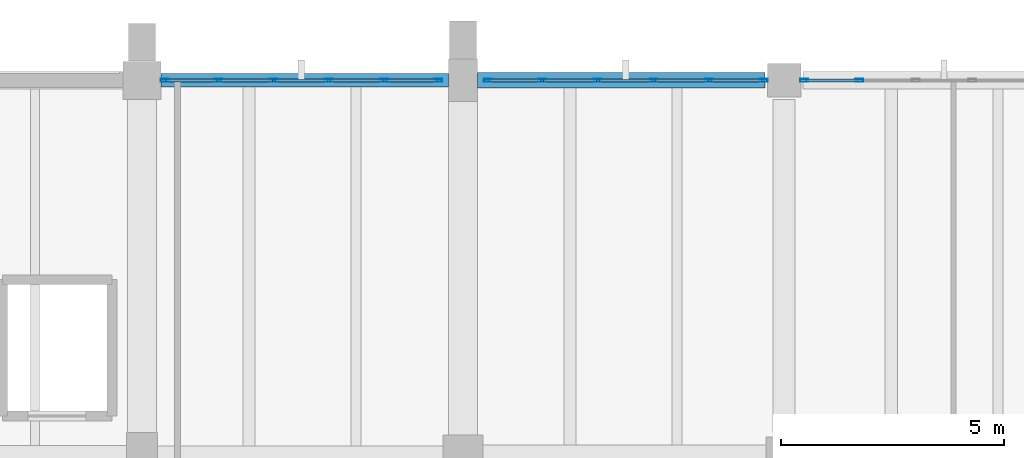
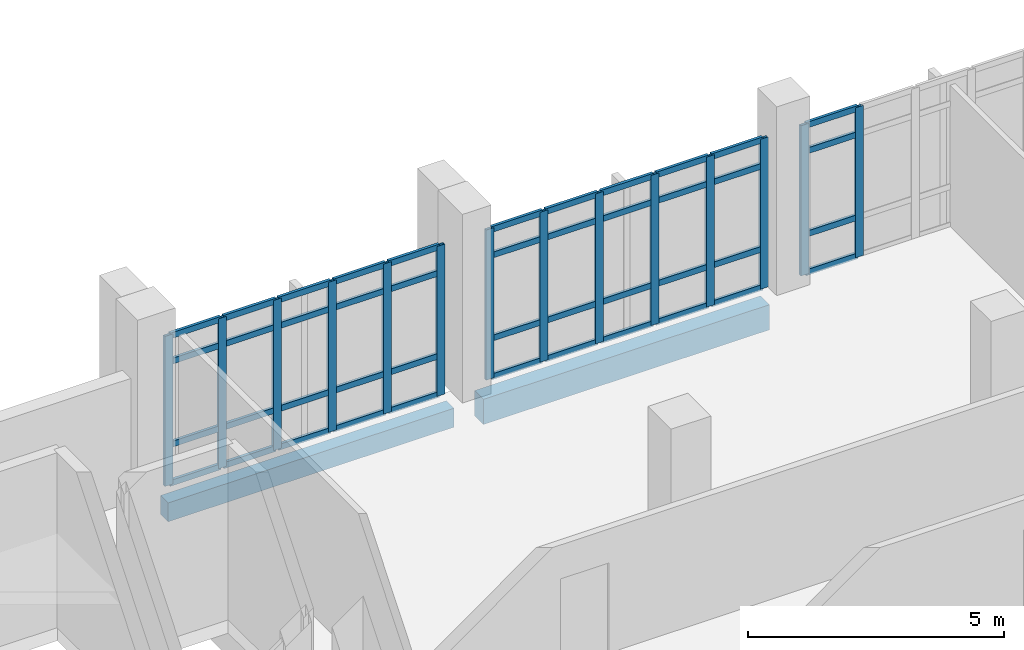
# One storey, part 73 of 134: 58 members, 2 beams, 3 elements without a shape of their own.
"""IFC4 building model written with IfcOpenShell, lengths in metres."""

from ifc_helpers import new_model, si_unit, direction, frame, origin, origin_2d, place, context, subcontext, project, spatial, rectangle, hollow_rectangle, extrude, material, material_profile, profile_set, type_object, element, aggregate, save


model = new_model("IFC4")

# Units and contexts
model_context = context("Model", 3, precision=1e-05, world=origin(), true_north=direction((0.0, 1.0)))
body_context = subcontext(model_context, "Body", "Model", "MODEL_VIEW")
ifc_project = project(units=[si_unit("LENGTHUNIT", "METRE"), si_unit("AREAUNIT", "SQUARE_METRE"), si_unit("VOLUMEUNIT", "CUBIC_METRE"), si_unit("PLANEANGLEUNIT", "RADIAN"), si_unit("MASSUNIT", "GRAM", prefix="KILO")], contexts=[model_context])

# Site, building, storey
site_placement = place(None, origin())
site = spatial("IfcSite", under=ifc_project, at=site_placement, CompositionType="ELEMENT")
building_placement = place(site_placement, origin())
building = spatial("IfcBuilding", under=site, at=building_placement, Name="Kalluvel Institute of Natural Sciences", CompositionType="ELEMENT")
storey_placement = place(building_placement, frame((0.0, 0.0, 5.39990234375)))
storey = spatial("IfcBuildingStorey", under=building, at=storey_placement, Name="L01", CompositionType="ELEMENT", Elevation=5.39990234375)

# Curtain wall, members
ifc_material_1 = material(Name="Aluminium AW-6063 T6", Category="aluminium")
curtain_wall_type = type_object("IfcCurtainWallType", Name="CW-WET-45", PredefinedType="USERDEFINED", material=ifc_material_1)
curtain_wall_1_placement = place(storey_placement, origin())
curtain_wall_1 = element("IfcCurtainWall", 1, at=curtain_wall_1_placement, inside=storey, type_object=curtain_wall_type, Name="L01 Gothic lancet curtain wall CWA-L01-X793-Y1280", ObjectType="UNITISED LANCET FACADE", PredefinedType="USERDEFINED")
ifc_material_profile_1 = material_profile(ifc_material_1, hollow_rectangle(XDim=0.06494140625, YDim=0.179931640625, WallThickness=0.00439453125, at=origin_2d()), Name="CWM 65x180")
ifc_profile_set_1 = profile_set([ifc_material_profile_1], Name="Aluminium AW-6063 T6")
member_type_1 = type_object("IfcMemberType", Name="CWM-65x180", PredefinedType="MULLION", material=ifc_profile_set_1)
member_1_placement = place(storey_placement, frame((79.3076171875, 128.0, 0.0), z_axis=(0.0, 0.0, 1.0), x_axis=(0.0, 1.0, 0.0)))
member_1 = element("IfcMember", 2, at=member_1_placement, type_object=member_type_1, Name="CW-01 mullion 1", PredefinedType="MULLION", context=body_context, shape_type="SweptSolid", body=[
    extrude(hollow_rectangle(XDim=0.06494140625, YDim=0.179931640625, WallThickness=0.00439453125, at=origin_2d()), origin(), (0.0, 0.0, 1.0), 3.580078125),
])
member_2_placement = place(storey_placement, frame((80.514892578125, 128.0, 0.0), z_axis=(0.0, 0.0, 1.0), x_axis=(0.0, 1.0, 0.0)))
member_2 = element("IfcMember", 3, at=member_2_placement, type_object=member_type_1, Name="CW-01 mullion 2", PredefinedType="MULLION", context=body_context, shape_type="SweptSolid", body=[
    extrude(hollow_rectangle(XDim=0.06494140625, YDim=0.179931640625, WallThickness=0.00439453125, at=origin_2d()), origin(), (0.0, 0.0, 1.0), 3.580078125),
])
member_3_placement = place(storey_placement, frame((81.7548828125, 128.0, 0.0), z_axis=(0.0, 0.0, 1.0), x_axis=(0.0, 1.0, 0.0)))
member_3 = element("IfcMember", 4, at=member_3_placement, type_object=member_type_1, Name="CW-01 mullion 3", PredefinedType="MULLION", context=body_context, shape_type="SweptSolid", body=[
    extrude(hollow_rectangle(XDim=0.06494140625, YDim=0.179931640625, WallThickness=0.00439453125, at=origin_2d()), origin(), (0.0, 0.0, 1.0), 3.580078125),
])
member_4_placement = place(storey_placement, frame((82.9951171875, 128.0, 0.0), z_axis=(0.0, 0.0, 1.0), x_axis=(0.0, 1.0, 0.0)))
member_4 = element("IfcMember", 5, at=member_4_placement, type_object=member_type_1, Name="CW-01 mullion 4", PredefinedType="MULLION", context=body_context, shape_type="SweptSolid", body=[
    extrude(hollow_rectangle(XDim=0.06494140625, YDim=0.179931640625, WallThickness=0.00439453125, at=origin_2d()), origin(), (0.0, 0.0, 1.0), 3.580078125),
])
member_5_placement = place(storey_placement, frame((84.235107421875, 128.0, 0.0), z_axis=(0.0, 0.0, 1.0), x_axis=(0.0, 1.0, 0.0)))
member_5 = element("IfcMember", 6, at=member_5_placement, type_object=member_type_1, Name="CW-01 mullion 5", PredefinedType="MULLION", context=body_context, shape_type="SweptSolid", body=[
    extrude(hollow_rectangle(XDim=0.06494140625, YDim=0.179931640625, WallThickness=0.00439453125, at=origin_2d()), origin(), (0.0, 0.0, 1.0), 3.580078125),
])
member_6_placement = place(storey_placement, frame((85.4423828125, 128.0, 0.0), z_axis=(0.0, 0.0, 1.0), x_axis=(0.0, 1.0, 0.0)))
member_6 = element("IfcMember", 7, at=member_6_placement, type_object=member_type_1, Name="CW-01 mullion 6", PredefinedType="MULLION", context=body_context, shape_type="SweptSolid", body=[
    extrude(hollow_rectangle(XDim=0.06494140625, YDim=0.179931640625, WallThickness=0.00439453125, at=origin_2d()), origin(), (0.0, 0.0, 1.0), 3.580078125),
])

curtain_wall_2_placement = place(storey_placement, origin())
curtain_wall_2 = element("IfcCurtainWall", 8, at=curtain_wall_2_placement, inside=storey, type_object=curtain_wall_type, Name="L01 Gothic lancet curtain wall CWA-L01-X865-Y1280", ObjectType="UNITISED LANCET FACADE", PredefinedType="USERDEFINED")
member_7_placement = place(storey_placement, frame((86.5576171875, 128.0, 0.0), z_axis=(0.0, 0.0, 1.0), x_axis=(0.0, 1.0, 0.0)))
member_7 = element("IfcMember", 9, at=member_7_placement, type_object=member_type_1, Name="CW-01 mullion 1", PredefinedType="MULLION", context=body_context, shape_type="SweptSolid", body=[
    extrude(hollow_rectangle(XDim=0.06494140625, YDim=0.179931640625, WallThickness=0.00439453125, at=origin_2d()), origin(), (0.0, 0.0, 1.0), 3.580078125),
])
member_8_placement = place(storey_placement, frame((87.77490234375, 128.0, 0.0), z_axis=(0.0, 0.0, 1.0), x_axis=(0.0, 1.0, 0.0)))
member_8 = element("IfcMember", 10, at=member_8_placement, type_object=member_type_1, Name="CW-01 mullion 2", PredefinedType="MULLION", context=body_context, shape_type="SweptSolid", body=[
    extrude(hollow_rectangle(XDim=0.06494140625, YDim=0.179931640625, WallThickness=0.00439453125, at=origin_2d()), origin(), (0.0, 0.0, 1.0), 3.580078125),
])
member_9_placement = place(storey_placement, frame((89.02490234375, 128.0, 0.0), z_axis=(0.0, 0.0, 1.0), x_axis=(0.0, 1.0, 0.0)))
member_9 = element("IfcMember", 11, at=member_9_placement, type_object=member_type_1, Name="CW-01 mullion 3", PredefinedType="MULLION", context=body_context, shape_type="SweptSolid", body=[
    extrude(hollow_rectangle(XDim=0.06494140625, YDim=0.179931640625, WallThickness=0.00439453125, at=origin_2d()), origin(), (0.0, 0.0, 1.0), 3.580078125),
])
member_10_placement = place(storey_placement, frame((90.27490234375, 128.0, 0.0), z_axis=(0.0, 0.0, 1.0), x_axis=(0.0, 1.0, 0.0)))
member_10 = element("IfcMember", 12, at=member_10_placement, type_object=member_type_1, Name="CW-01 mullion 4", PredefinedType="MULLION", context=body_context, shape_type="SweptSolid", body=[
    extrude(hollow_rectangle(XDim=0.06494140625, YDim=0.179931640625, WallThickness=0.00439453125, at=origin_2d()), origin(), (0.0, 0.0, 1.0), 3.580078125),
])
member_11_placement = place(storey_placement, frame((91.52490234375, 128.0, 0.0), z_axis=(0.0, 0.0, 1.0), x_axis=(0.0, 1.0, 0.0)))
member_11 = element("IfcMember", 13, at=member_11_placement, type_object=member_type_1, Name="CW-01 mullion 5", PredefinedType="MULLION", context=body_context, shape_type="SweptSolid", body=[
    extrude(hollow_rectangle(XDim=0.06494140625, YDim=0.179931640625, WallThickness=0.00439453125, at=origin_2d()), origin(), (0.0, 0.0, 1.0), 3.580078125),
])
member_12_placement = place(storey_placement, frame((92.742431640625, 128.0, 0.0), z_axis=(0.0, 0.0, 1.0), x_axis=(0.0, 1.0, 0.0)))
member_12 = element("IfcMember", 14, at=member_12_placement, type_object=member_type_1, Name="CW-01 mullion 6", PredefinedType="MULLION", context=body_context, shape_type="SweptSolid", body=[
    extrude(hollow_rectangle(XDim=0.06494140625, YDim=0.179931640625, WallThickness=0.00439453125, at=origin_2d()), origin(), (0.0, 0.0, 1.0), 3.580078125),
])

curtain_wall_3_placement = place(storey_placement, origin())
curtain_wall_3 = element("IfcCurtainWall", 15, at=curtain_wall_3_placement, inside=storey, type_object=curtain_wall_type, Name="L01 Gothic lancet curtain wall CWA-L01-X936-Y1280", ObjectType="UNITISED LANCET FACADE", PredefinedType="USERDEFINED")
member_13_placement = place(storey_placement, frame((93.657470703125, 128.0, 0.0), z_axis=(0.0, 0.0, 1.0), x_axis=(0.0, 1.0, 0.0)))
member_13 = element("IfcMember", 16, at=member_13_placement, type_object=member_type_1, Name="CW-01 mullion 1", PredefinedType="MULLION", context=body_context, shape_type="SweptSolid", body=[
    extrude(hollow_rectangle(XDim=0.06494140625, YDim=0.179931640625, WallThickness=0.00439453125, at=origin_2d()), origin(), (0.0, 0.0, 1.0), 3.580078125),
])
member_14_placement = place(storey_placement, frame((94.889892578125, 128.0, 0.0), z_axis=(0.0, 0.0, 1.0), x_axis=(0.0, 1.0, 0.0)))
member_14 = element("IfcMember", 17, at=member_14_placement, type_object=member_type_1, Name="CW-01 mullion 2", PredefinedType="MULLION", context=body_context, shape_type="SweptSolid", body=[
    extrude(hollow_rectangle(XDim=0.06494140625, YDim=0.179931640625, WallThickness=0.00439453125, at=origin_2d()), origin(), (0.0, 0.0, 1.0), 3.580078125),
])

# Member
ifc_material_profile_2 = material_profile(ifc_material_1, hollow_rectangle(XDim=0.06494140625, YDim=0.139892578125, WallThickness=0.00439453125, at=origin_2d()), Name="CWT 65x140")
ifc_profile_set_2 = profile_set([ifc_material_profile_2], Name="Aluminium AW-6063 T6")
member_type_2 = type_object("IfcMemberType", Name="CWT-65x140", PredefinedType="USERDEFINED", material=ifc_profile_set_2)
member_15_placement = place(storey_placement, frame((79.340087890625, 128.0, 0.03271484375), z_axis=(1.0, 0.0, 0.0), x_axis=(0.0, 1.0, 0.0)))
member_15 = element("IfcMember", 18, at=member_15_placement, type_object=member_type_2, Name="CW-01 transom 1.1", ObjectType="TRANSOM", PredefinedType="USERDEFINED", context=body_context, shape_type="SweptSolid", body=[
    extrude(hollow_rectangle(XDim=0.06494140625, YDim=0.139892578125, WallThickness=0.00439453125, at=origin_2d()), origin(), (0.0, 0.0, 1.0), 1.142333984375),
])

member_16_placement = place(storey_placement, frame((79.340087890625, 128.0, 0.9501953125), z_axis=(1.0, 0.0, 0.0), x_axis=(0.0, 1.0, 0.0)))
member_16 = element("IfcMember", 19, at=member_16_placement, type_object=member_type_2, Name="CW-01 transom 1.2", ObjectType="TRANSOM", PredefinedType="USERDEFINED", context=body_context, shape_type="SweptSolid", body=[
    extrude(hollow_rectangle(XDim=0.06494140625, YDim=0.139892578125, WallThickness=0.00439453125, at=origin_2d()), origin(), (0.0, 0.0, 1.0), 1.142333984375),
])

member_17_placement = place(storey_placement, frame((79.340087890625, 128.0, 2.93017578125), z_axis=(1.0, 0.0, 0.0), x_axis=(0.0, 1.0, 0.0)))
member_17 = element("IfcMember", 20, at=member_17_placement, type_object=member_type_2, Name="CW-01 transom 1.3", ObjectType="TRANSOM", PredefinedType="USERDEFINED", context=body_context, shape_type="SweptSolid", body=[
    extrude(hollow_rectangle(XDim=0.06494140625, YDim=0.139892578125, WallThickness=0.00439453125, at=origin_2d()), origin(), (0.0, 0.0, 1.0), 1.142333984375),
])

member_18_placement = place(storey_placement, frame((79.340087890625, 128.0, 3.547607421875), z_axis=(1.0, 0.0, 0.0), x_axis=(0.0, 1.0, 0.0)))
member_18 = element("IfcMember", 21, at=member_18_placement, type_object=member_type_2, Name="CW-01 transom 1.4", ObjectType="TRANSOM", PredefinedType="USERDEFINED", context=body_context, shape_type="SweptSolid", body=[
    extrude(hollow_rectangle(XDim=0.06494140625, YDim=0.139892578125, WallThickness=0.00439453125, at=origin_2d()), origin(), (0.0, 0.0, 1.0), 1.142333984375),
])

member_19_placement = place(storey_placement, frame((80.547607421875, 128.0, 0.03271484375), z_axis=(1.0, 0.0, 0.0), x_axis=(0.0, 1.0, 0.0)))
member_19 = element("IfcMember", 22, at=member_19_placement, type_object=member_type_2, Name="CW-01 transom 2.1", ObjectType="TRANSOM", PredefinedType="USERDEFINED", context=body_context, shape_type="SweptSolid", body=[
    extrude(hollow_rectangle(XDim=0.06494140625, YDim=0.139892578125, WallThickness=0.00439453125, at=origin_2d()), origin(), (0.0, 0.0, 1.0), 1.1748046875),
])

member_20_placement = place(storey_placement, frame((80.547607421875, 128.0, 0.9501953125), z_axis=(1.0, 0.0, 0.0), x_axis=(0.0, 1.0, 0.0)))
member_20 = element("IfcMember", 23, at=member_20_placement, type_object=member_type_2, Name="CW-01 transom 2.2", ObjectType="TRANSOM", PredefinedType="USERDEFINED", context=body_context, shape_type="SweptSolid", body=[
    extrude(hollow_rectangle(XDim=0.06494140625, YDim=0.139892578125, WallThickness=0.00439453125, at=origin_2d()), origin(), (0.0, 0.0, 1.0), 1.1748046875),
])

member_21_placement = place(storey_placement, frame((80.547607421875, 128.0, 2.93017578125), z_axis=(1.0, 0.0, 0.0), x_axis=(0.0, 1.0, 0.0)))
member_21 = element("IfcMember", 24, at=member_21_placement, type_object=member_type_2, Name="CW-01 transom 2.3", ObjectType="TRANSOM", PredefinedType="USERDEFINED", context=body_context, shape_type="SweptSolid", body=[
    extrude(hollow_rectangle(XDim=0.06494140625, YDim=0.139892578125, WallThickness=0.00439453125, at=origin_2d()), origin(), (0.0, 0.0, 1.0), 1.1748046875),
])

member_22_placement = place(storey_placement, frame((80.547607421875, 128.0, 3.547607421875), z_axis=(1.0, 0.0, 0.0), x_axis=(0.0, 1.0, 0.0)))
member_22 = element("IfcMember", 25, at=member_22_placement, type_object=member_type_2, Name="CW-01 transom 2.4", ObjectType="TRANSOM", PredefinedType="USERDEFINED", context=body_context, shape_type="SweptSolid", body=[
    extrude(hollow_rectangle(XDim=0.06494140625, YDim=0.139892578125, WallThickness=0.00439453125, at=origin_2d()), origin(), (0.0, 0.0, 1.0), 1.1748046875),
])

member_23_placement = place(storey_placement, frame((81.78759765625, 128.0, 0.03271484375), z_axis=(1.0, 0.0, 0.0), x_axis=(0.0, 1.0, 0.0)))
member_23 = element("IfcMember", 26, at=member_23_placement, type_object=member_type_2, Name="CW-01 transom 3.1", ObjectType="TRANSOM", PredefinedType="USERDEFINED", context=body_context, shape_type="SweptSolid", body=[
    extrude(hollow_rectangle(XDim=0.06494140625, YDim=0.139892578125, WallThickness=0.00439453125, at=origin_2d()), origin(), (0.0, 0.0, 1.0), 1.1748046875),
])

member_24_placement = place(storey_placement, frame((81.78759765625, 128.0, 0.9501953125), z_axis=(1.0, 0.0, 0.0), x_axis=(0.0, 1.0, 0.0)))
member_24 = element("IfcMember", 27, at=member_24_placement, type_object=member_type_2, Name="CW-01 transom 3.2", ObjectType="TRANSOM", PredefinedType="USERDEFINED", context=body_context, shape_type="SweptSolid", body=[
    extrude(hollow_rectangle(XDim=0.06494140625, YDim=0.139892578125, WallThickness=0.00439453125, at=origin_2d()), origin(), (0.0, 0.0, 1.0), 1.1748046875),
])

member_25_placement = place(storey_placement, frame((81.78759765625, 128.0, 2.93017578125), z_axis=(1.0, 0.0, 0.0), x_axis=(0.0, 1.0, 0.0)))
member_25 = element("IfcMember", 28, at=member_25_placement, type_object=member_type_2, Name="CW-01 transom 3.3", ObjectType="TRANSOM", PredefinedType="USERDEFINED", context=body_context, shape_type="SweptSolid", body=[
    extrude(hollow_rectangle(XDim=0.06494140625, YDim=0.139892578125, WallThickness=0.00439453125, at=origin_2d()), origin(), (0.0, 0.0, 1.0), 1.1748046875),
])

member_26_placement = place(storey_placement, frame((81.78759765625, 128.0, 3.547607421875), z_axis=(1.0, 0.0, 0.0), x_axis=(0.0, 1.0, 0.0)))
member_26 = element("IfcMember", 29, at=member_26_placement, type_object=member_type_2, Name="CW-01 transom 3.4", ObjectType="TRANSOM", PredefinedType="USERDEFINED", context=body_context, shape_type="SweptSolid", body=[
    extrude(hollow_rectangle(XDim=0.06494140625, YDim=0.139892578125, WallThickness=0.00439453125, at=origin_2d()), origin(), (0.0, 0.0, 1.0), 1.1748046875),
])

member_27_placement = place(storey_placement, frame((83.027587890625, 128.0, 0.03271484375), z_axis=(1.0, 0.0, 0.0), x_axis=(0.0, 1.0, 0.0)))
member_27 = element("IfcMember", 30, at=member_27_placement, type_object=member_type_2, Name="CW-01 transom 4.1", ObjectType="TRANSOM", PredefinedType="USERDEFINED", context=body_context, shape_type="SweptSolid", body=[
    extrude(hollow_rectangle(XDim=0.06494140625, YDim=0.139892578125, WallThickness=0.00439453125, at=origin_2d()), origin(), (0.0, 0.0, 1.0), 1.1748046875),
])

member_28_placement = place(storey_placement, frame((83.027587890625, 128.0, 0.9501953125), z_axis=(1.0, 0.0, 0.0), x_axis=(0.0, 1.0, 0.0)))
member_28 = element("IfcMember", 31, at=member_28_placement, type_object=member_type_2, Name="CW-01 transom 4.2", ObjectType="TRANSOM", PredefinedType="USERDEFINED", context=body_context, shape_type="SweptSolid", body=[
    extrude(hollow_rectangle(XDim=0.06494140625, YDim=0.139892578125, WallThickness=0.00439453125, at=origin_2d()), origin(), (0.0, 0.0, 1.0), 1.1748046875),
])

member_29_placement = place(storey_placement, frame((83.027587890625, 128.0, 2.93017578125), z_axis=(1.0, 0.0, 0.0), x_axis=(0.0, 1.0, 0.0)))
member_29 = element("IfcMember", 32, at=member_29_placement, type_object=member_type_2, Name="CW-01 transom 4.3", ObjectType="TRANSOM", PredefinedType="USERDEFINED", context=body_context, shape_type="SweptSolid", body=[
    extrude(hollow_rectangle(XDim=0.06494140625, YDim=0.139892578125, WallThickness=0.00439453125, at=origin_2d()), origin(), (0.0, 0.0, 1.0), 1.1748046875),
])

member_30_placement = place(storey_placement, frame((83.027587890625, 128.0, 3.547607421875), z_axis=(1.0, 0.0, 0.0), x_axis=(0.0, 1.0, 0.0)))
member_30 = element("IfcMember", 33, at=member_30_placement, type_object=member_type_2, Name="CW-01 transom 4.4", ObjectType="TRANSOM", PredefinedType="USERDEFINED", context=body_context, shape_type="SweptSolid", body=[
    extrude(hollow_rectangle(XDim=0.06494140625, YDim=0.139892578125, WallThickness=0.00439453125, at=origin_2d()), origin(), (0.0, 0.0, 1.0), 1.1748046875),
])

member_31_placement = place(storey_placement, frame((84.267578125, 128.0, 0.03271484375), z_axis=(1.0, 0.0, 0.0), x_axis=(0.0, 1.0, 0.0)))
member_31 = element("IfcMember", 34, at=member_31_placement, type_object=member_type_2, Name="CW-01 transom 5.1", ObjectType="TRANSOM", PredefinedType="USERDEFINED", context=body_context, shape_type="SweptSolid", body=[
    extrude(hollow_rectangle(XDim=0.06494140625, YDim=0.139892578125, WallThickness=0.00439453125, at=origin_2d()), origin(), (0.0, 0.0, 1.0), 1.142333984375),
])

member_32_placement = place(storey_placement, frame((84.267578125, 128.0, 0.9501953125), z_axis=(1.0, 0.0, 0.0), x_axis=(0.0, 1.0, 0.0)))
member_32 = element("IfcMember", 35, at=member_32_placement, type_object=member_type_2, Name="CW-01 transom 5.2", ObjectType="TRANSOM", PredefinedType="USERDEFINED", context=body_context, shape_type="SweptSolid", body=[
    extrude(hollow_rectangle(XDim=0.06494140625, YDim=0.139892578125, WallThickness=0.00439453125, at=origin_2d()), origin(), (0.0, 0.0, 1.0), 1.142333984375),
])

member_33_placement = place(storey_placement, frame((84.267578125, 128.0, 2.93017578125), z_axis=(1.0, 0.0, 0.0), x_axis=(0.0, 1.0, 0.0)))
member_33 = element("IfcMember", 36, at=member_33_placement, type_object=member_type_2, Name="CW-01 transom 5.3", ObjectType="TRANSOM", PredefinedType="USERDEFINED", context=body_context, shape_type="SweptSolid", body=[
    extrude(hollow_rectangle(XDim=0.06494140625, YDim=0.139892578125, WallThickness=0.00439453125, at=origin_2d()), origin(), (0.0, 0.0, 1.0), 1.142333984375),
])

member_34_placement = place(storey_placement, frame((84.267578125, 128.0, 3.547607421875), z_axis=(1.0, 0.0, 0.0), x_axis=(0.0, 1.0, 0.0)))
member_34 = element("IfcMember", 37, at=member_34_placement, type_object=member_type_2, Name="CW-01 transom 5.4", ObjectType="TRANSOM", PredefinedType="USERDEFINED", context=body_context, shape_type="SweptSolid", body=[
    extrude(hollow_rectangle(XDim=0.06494140625, YDim=0.139892578125, WallThickness=0.00439453125, at=origin_2d()), origin(), (0.0, 0.0, 1.0), 1.142333984375),
])

aggregate(curtain_wall_1, [member_1, member_2, member_3, member_4, member_5, member_6, member_15, member_16, member_17, member_18, member_19, member_20, member_21, member_22, member_23, member_24, member_25, member_26, member_27, member_28, member_29, member_30, member_31, member_32, member_33, member_34])

member_35_placement = place(storey_placement, frame((86.590087890625, 128.0, 0.03271484375), z_axis=(1.0, 0.0, 0.0), x_axis=(0.0, 1.0, 0.0)))
member_35 = element("IfcMember", 38, at=member_35_placement, type_object=member_type_2, Name="CW-01 transom 1.1", ObjectType="TRANSOM", PredefinedType="USERDEFINED", context=body_context, shape_type="SweptSolid", body=[
    extrude(hollow_rectangle(XDim=0.06494140625, YDim=0.139892578125, WallThickness=0.00439453125, at=origin_2d()), origin(), (0.0, 0.0, 1.0), 1.15234375),
])

member_36_placement = place(storey_placement, frame((86.590087890625, 128.0, 0.9501953125), z_axis=(1.0, 0.0, 0.0), x_axis=(0.0, 1.0, 0.0)))
member_36 = element("IfcMember", 39, at=member_36_placement, type_object=member_type_2, Name="CW-01 transom 1.2", ObjectType="TRANSOM", PredefinedType="USERDEFINED", context=body_context, shape_type="SweptSolid", body=[
    extrude(hollow_rectangle(XDim=0.06494140625, YDim=0.139892578125, WallThickness=0.00439453125, at=origin_2d()), origin(), (0.0, 0.0, 1.0), 1.15234375),
])

member_37_placement = place(storey_placement, frame((86.590087890625, 128.0, 2.93017578125), z_axis=(1.0, 0.0, 0.0), x_axis=(0.0, 1.0, 0.0)))
member_37 = element("IfcMember", 40, at=member_37_placement, type_object=member_type_2, Name="CW-01 transom 1.3", ObjectType="TRANSOM", PredefinedType="USERDEFINED", context=body_context, shape_type="SweptSolid", body=[
    extrude(hollow_rectangle(XDim=0.06494140625, YDim=0.139892578125, WallThickness=0.00439453125, at=origin_2d()), origin(), (0.0, 0.0, 1.0), 1.15234375),
])

member_38_placement = place(storey_placement, frame((86.590087890625, 128.0, 3.547607421875), z_axis=(1.0, 0.0, 0.0), x_axis=(0.0, 1.0, 0.0)))
member_38 = element("IfcMember", 41, at=member_38_placement, type_object=member_type_2, Name="CW-01 transom 1.4", ObjectType="TRANSOM", PredefinedType="USERDEFINED", context=body_context, shape_type="SweptSolid", body=[
    extrude(hollow_rectangle(XDim=0.06494140625, YDim=0.139892578125, WallThickness=0.00439453125, at=origin_2d()), origin(), (0.0, 0.0, 1.0), 1.15234375),
])

member_39_placement = place(storey_placement, frame((87.8076171875, 128.0, 0.03271484375), z_axis=(1.0, 0.0, 0.0), x_axis=(0.0, 1.0, 0.0)))
member_39 = element("IfcMember", 42, at=member_39_placement, type_object=member_type_2, Name="CW-01 transom 2.1", ObjectType="TRANSOM", PredefinedType="USERDEFINED", context=body_context, shape_type="SweptSolid", body=[
    extrude(hollow_rectangle(XDim=0.06494140625, YDim=0.139892578125, WallThickness=0.00439453125, at=origin_2d()), origin(), (0.0, 0.0, 1.0), 1.184814453125),
])

member_40_placement = place(storey_placement, frame((87.8076171875, 128.0, 0.9501953125), z_axis=(1.0, 0.0, 0.0), x_axis=(0.0, 1.0, 0.0)))
member_40 = element("IfcMember", 43, at=member_40_placement, type_object=member_type_2, Name="CW-01 transom 2.2", ObjectType="TRANSOM", PredefinedType="USERDEFINED", context=body_context, shape_type="SweptSolid", body=[
    extrude(hollow_rectangle(XDim=0.06494140625, YDim=0.139892578125, WallThickness=0.00439453125, at=origin_2d()), origin(), (0.0, 0.0, 1.0), 1.184814453125),
])

member_41_placement = place(storey_placement, frame((87.8076171875, 128.0, 2.93017578125), z_axis=(1.0, 0.0, 0.0), x_axis=(0.0, 1.0, 0.0)))
member_41 = element("IfcMember", 44, at=member_41_placement, type_object=member_type_2, Name="CW-01 transom 2.3", ObjectType="TRANSOM", PredefinedType="USERDEFINED", context=body_context, shape_type="SweptSolid", body=[
    extrude(hollow_rectangle(XDim=0.06494140625, YDim=0.139892578125, WallThickness=0.00439453125, at=origin_2d()), origin(), (0.0, 0.0, 1.0), 1.184814453125),
])

member_42_placement = place(storey_placement, frame((87.8076171875, 128.0, 3.547607421875), z_axis=(1.0, 0.0, 0.0), x_axis=(0.0, 1.0, 0.0)))
member_42 = element("IfcMember", 45, at=member_42_placement, type_object=member_type_2, Name="CW-01 transom 2.4", ObjectType="TRANSOM", PredefinedType="USERDEFINED", context=body_context, shape_type="SweptSolid", body=[
    extrude(hollow_rectangle(XDim=0.06494140625, YDim=0.139892578125, WallThickness=0.00439453125, at=origin_2d()), origin(), (0.0, 0.0, 1.0), 1.184814453125),
])

member_43_placement = place(storey_placement, frame((89.0576171875, 128.0, 0.03271484375), z_axis=(1.0, 0.0, 0.0), x_axis=(0.0, 1.0, 0.0)))
member_43 = element("IfcMember", 46, at=member_43_placement, type_object=member_type_2, Name="CW-01 transom 3.1", ObjectType="TRANSOM", PredefinedType="USERDEFINED", context=body_context, shape_type="SweptSolid", body=[
    extrude(hollow_rectangle(XDim=0.06494140625, YDim=0.139892578125, WallThickness=0.00439453125, at=origin_2d()), origin(), (0.0, 0.0, 1.0), 1.184814453125),
])

member_44_placement = place(storey_placement, frame((89.0576171875, 128.0, 0.9501953125), z_axis=(1.0, 0.0, 0.0), x_axis=(0.0, 1.0, 0.0)))
member_44 = element("IfcMember", 47, at=member_44_placement, type_object=member_type_2, Name="CW-01 transom 3.2", ObjectType="TRANSOM", PredefinedType="USERDEFINED", context=body_context, shape_type="SweptSolid", body=[
    extrude(hollow_rectangle(XDim=0.06494140625, YDim=0.139892578125, WallThickness=0.00439453125, at=origin_2d()), origin(), (0.0, 0.0, 1.0), 1.184814453125),
])

member_45_placement = place(storey_placement, frame((89.0576171875, 128.0, 2.93017578125), z_axis=(1.0, 0.0, 0.0), x_axis=(0.0, 1.0, 0.0)))
member_45 = element("IfcMember", 48, at=member_45_placement, type_object=member_type_2, Name="CW-01 transom 3.3", ObjectType="TRANSOM", PredefinedType="USERDEFINED", context=body_context, shape_type="SweptSolid", body=[
    extrude(hollow_rectangle(XDim=0.06494140625, YDim=0.139892578125, WallThickness=0.00439453125, at=origin_2d()), origin(), (0.0, 0.0, 1.0), 1.184814453125),
])

member_46_placement = place(storey_placement, frame((89.0576171875, 128.0, 3.547607421875), z_axis=(1.0, 0.0, 0.0), x_axis=(0.0, 1.0, 0.0)))
member_46 = element("IfcMember", 49, at=member_46_placement, type_object=member_type_2, Name="CW-01 transom 3.4", ObjectType="TRANSOM", PredefinedType="USERDEFINED", context=body_context, shape_type="SweptSolid", body=[
    extrude(hollow_rectangle(XDim=0.06494140625, YDim=0.139892578125, WallThickness=0.00439453125, at=origin_2d()), origin(), (0.0, 0.0, 1.0), 1.184814453125),
])

member_47_placement = place(storey_placement, frame((90.3076171875, 128.0, 0.03271484375), z_axis=(1.0, 0.0, 0.0), x_axis=(0.0, 1.0, 0.0)))
member_47 = element("IfcMember", 50, at=member_47_placement, type_object=member_type_2, Name="CW-01 transom 4.1", ObjectType="TRANSOM", PredefinedType="USERDEFINED", context=body_context, shape_type="SweptSolid", body=[
    extrude(hollow_rectangle(XDim=0.06494140625, YDim=0.139892578125, WallThickness=0.00439453125, at=origin_2d()), origin(), (0.0, 0.0, 1.0), 1.184814453125),
])

member_48_placement = place(storey_placement, frame((90.3076171875, 128.0, 0.9501953125), z_axis=(1.0, 0.0, 0.0), x_axis=(0.0, 1.0, 0.0)))
member_48 = element("IfcMember", 51, at=member_48_placement, type_object=member_type_2, Name="CW-01 transom 4.2", ObjectType="TRANSOM", PredefinedType="USERDEFINED", context=body_context, shape_type="SweptSolid", body=[
    extrude(hollow_rectangle(XDim=0.06494140625, YDim=0.139892578125, WallThickness=0.00439453125, at=origin_2d()), origin(), (0.0, 0.0, 1.0), 1.184814453125),
])

member_49_placement = place(storey_placement, frame((90.3076171875, 128.0, 2.93017578125), z_axis=(1.0, 0.0, 0.0), x_axis=(0.0, 1.0, 0.0)))
member_49 = element("IfcMember", 52, at=member_49_placement, type_object=member_type_2, Name="CW-01 transom 4.3", ObjectType="TRANSOM", PredefinedType="USERDEFINED", context=body_context, shape_type="SweptSolid", body=[
    extrude(hollow_rectangle(XDim=0.06494140625, YDim=0.139892578125, WallThickness=0.00439453125, at=origin_2d()), origin(), (0.0, 0.0, 1.0), 1.184814453125),
])

member_50_placement = place(storey_placement, frame((90.3076171875, 128.0, 3.547607421875), z_axis=(1.0, 0.0, 0.0), x_axis=(0.0, 1.0, 0.0)))
member_50 = element("IfcMember", 53, at=member_50_placement, type_object=member_type_2, Name="CW-01 transom 4.4", ObjectType="TRANSOM", PredefinedType="USERDEFINED", context=body_context, shape_type="SweptSolid", body=[
    extrude(hollow_rectangle(XDim=0.06494140625, YDim=0.139892578125, WallThickness=0.00439453125, at=origin_2d()), origin(), (0.0, 0.0, 1.0), 1.184814453125),
])

member_51_placement = place(storey_placement, frame((91.5576171875, 128.0, 0.03271484375), z_axis=(1.0, 0.0, 0.0), x_axis=(0.0, 1.0, 0.0)))
member_51 = element("IfcMember", 54, at=member_51_placement, type_object=member_type_2, Name="CW-01 transom 5.1", ObjectType="TRANSOM", PredefinedType="USERDEFINED", context=body_context, shape_type="SweptSolid", body=[
    extrude(hollow_rectangle(XDim=0.06494140625, YDim=0.139892578125, WallThickness=0.00439453125, at=origin_2d()), origin(), (0.0, 0.0, 1.0), 1.15234375),
])

member_52_placement = place(storey_placement, frame((91.5576171875, 128.0, 0.9501953125), z_axis=(1.0, 0.0, 0.0), x_axis=(0.0, 1.0, 0.0)))
member_52 = element("IfcMember", 55, at=member_52_placement, type_object=member_type_2, Name="CW-01 transom 5.2", ObjectType="TRANSOM", PredefinedType="USERDEFINED", context=body_context, shape_type="SweptSolid", body=[
    extrude(hollow_rectangle(XDim=0.06494140625, YDim=0.139892578125, WallThickness=0.00439453125, at=origin_2d()), origin(), (0.0, 0.0, 1.0), 1.15234375),
])

member_53_placement = place(storey_placement, frame((91.5576171875, 128.0, 2.93017578125), z_axis=(1.0, 0.0, 0.0), x_axis=(0.0, 1.0, 0.0)))
member_53 = element("IfcMember", 56, at=member_53_placement, type_object=member_type_2, Name="CW-01 transom 5.3", ObjectType="TRANSOM", PredefinedType="USERDEFINED", context=body_context, shape_type="SweptSolid", body=[
    extrude(hollow_rectangle(XDim=0.06494140625, YDim=0.139892578125, WallThickness=0.00439453125, at=origin_2d()), origin(), (0.0, 0.0, 1.0), 1.15234375),
])

member_54_placement = place(storey_placement, frame((91.5576171875, 128.0, 3.547607421875), z_axis=(1.0, 0.0, 0.0), x_axis=(0.0, 1.0, 0.0)))
member_54 = element("IfcMember", 57, at=member_54_placement, type_object=member_type_2, Name="CW-01 transom 5.4", ObjectType="TRANSOM", PredefinedType="USERDEFINED", context=body_context, shape_type="SweptSolid", body=[
    extrude(hollow_rectangle(XDim=0.06494140625, YDim=0.139892578125, WallThickness=0.00439453125, at=origin_2d()), origin(), (0.0, 0.0, 1.0), 1.15234375),
])

aggregate(curtain_wall_2, [member_7, member_8, member_9, member_10, member_11, member_12, member_35, member_36, member_37, member_38, member_39, member_40, member_41, member_42, member_43, member_44, member_45, member_46, member_47, member_48, member_49, member_50, member_51, member_52, member_53, member_54])

member_55_placement = place(storey_placement, frame((93.68994140625, 128.0, 0.03271484375), z_axis=(1.0, 0.0, 0.0), x_axis=(0.0, 1.0, 0.0)))
member_55 = element("IfcMember", 58, at=member_55_placement, type_object=member_type_2, Name="CW-01 transom 1.1", ObjectType="TRANSOM", PredefinedType="USERDEFINED", context=body_context, shape_type="SweptSolid", body=[
    extrude(hollow_rectangle(XDim=0.06494140625, YDim=0.139892578125, WallThickness=0.00439453125, at=origin_2d()), origin(), (0.0, 0.0, 1.0), 1.16748046875),
])

member_56_placement = place(storey_placement, frame((93.68994140625, 128.0, 0.9501953125), z_axis=(1.0, 0.0, 0.0), x_axis=(0.0, 1.0, 0.0)))
member_56 = element("IfcMember", 59, at=member_56_placement, type_object=member_type_2, Name="CW-01 transom 1.2", ObjectType="TRANSOM", PredefinedType="USERDEFINED", context=body_context, shape_type="SweptSolid", body=[
    extrude(hollow_rectangle(XDim=0.06494140625, YDim=0.139892578125, WallThickness=0.00439453125, at=origin_2d()), origin(), (0.0, 0.0, 1.0), 1.16748046875),
])

member_57_placement = place(storey_placement, frame((93.68994140625, 128.0, 2.93017578125), z_axis=(1.0, 0.0, 0.0), x_axis=(0.0, 1.0, 0.0)))
member_57 = element("IfcMember", 60, at=member_57_placement, type_object=member_type_2, Name="CW-01 transom 1.3", ObjectType="TRANSOM", PredefinedType="USERDEFINED", context=body_context, shape_type="SweptSolid", body=[
    extrude(hollow_rectangle(XDim=0.06494140625, YDim=0.139892578125, WallThickness=0.00439453125, at=origin_2d()), origin(), (0.0, 0.0, 1.0), 1.16748046875),
])

member_58_placement = place(storey_placement, frame((93.68994140625, 128.0, 3.547607421875), z_axis=(1.0, 0.0, 0.0), x_axis=(0.0, 1.0, 0.0)))
member_58 = element("IfcMember", 61, at=member_58_placement, type_object=member_type_2, Name="CW-01 transom 1.4", ObjectType="TRANSOM", PredefinedType="USERDEFINED", context=body_context, shape_type="SweptSolid", body=[
    extrude(hollow_rectangle(XDim=0.06494140625, YDim=0.139892578125, WallThickness=0.00439453125, at=origin_2d()), origin(), (0.0, 0.0, 1.0), 1.16748046875),
])

aggregate(curtain_wall_3, [member_13, member_14, member_55, member_56, member_57, member_58])

# Beams
ifc_material_2 = material(Name="Concrete M40", Category="concrete")
ifc_material_profile_3 = material_profile(ifc_material_2, rectangle(XDim=0.300048828125, YDim=0.449951171875, at=origin_2d()), Name="RCB 300x450")
ifc_profile_set_3 = profile_set([ifc_material_profile_3], Name="Concrete M40")
beam_type_1 = type_object("IfcBeamType", Name="SP-RC300x450", PredefinedType="SPANDREL", material=ifc_profile_set_3)
beam_1_placement = place(storey_placement, frame((79.22509765625, 128.0, -0.544921875), z_axis=(1.0, 0.0, 0.0), x_axis=(0.0, 1.0, 0.0)))
element("IfcBeam", 62, at=beam_1_placement, inside=storey, type_object=beam_type_1, Name="L01 girder GIR-L01-EW-X788-Y1280", PredefinedType="SPANDREL", context=body_context, shape_type="SweptSolid", body=[
    extrude(rectangle(XDim=0.300048828125, YDim=0.449951171875, at=origin_2d()), origin(), (0.0, 0.0, 1.0), 6.449951171875),
])
ifc_material_profile_4 = material_profile(ifc_material_2, rectangle(XDim=0.35009765625, YDim=0.60009765625, at=origin_2d()), Name="RCB 350x600")
ifc_profile_set_4 = profile_set([ifc_material_profile_4], Name="Concrete M40")
beam_type_2 = type_object("IfcBeamType", Name="SP-RC350x600", PredefinedType="SPANDREL", material=ifc_profile_set_4)
beam_2_placement = place(storey_placement, frame((86.324951171875, 128.0, -0.619873046875), z_axis=(1.0, 0.0, 0.0), x_axis=(0.0, 1.0, 0.0)))
element("IfcBeam", 63, at=beam_2_placement, inside=storey, type_object=beam_type_2, Name="L01 girder GIR-L01-EW-X860-Y1280", PredefinedType="SPANDREL", context=body_context, shape_type="SweptSolid", body=[
    extrude(rectangle(XDim=0.35009765625, YDim=0.60009765625, at=origin_2d()), origin(), (0.0, 0.0, 1.0), 6.449951171875),
])

save(model, "model.ifc")
